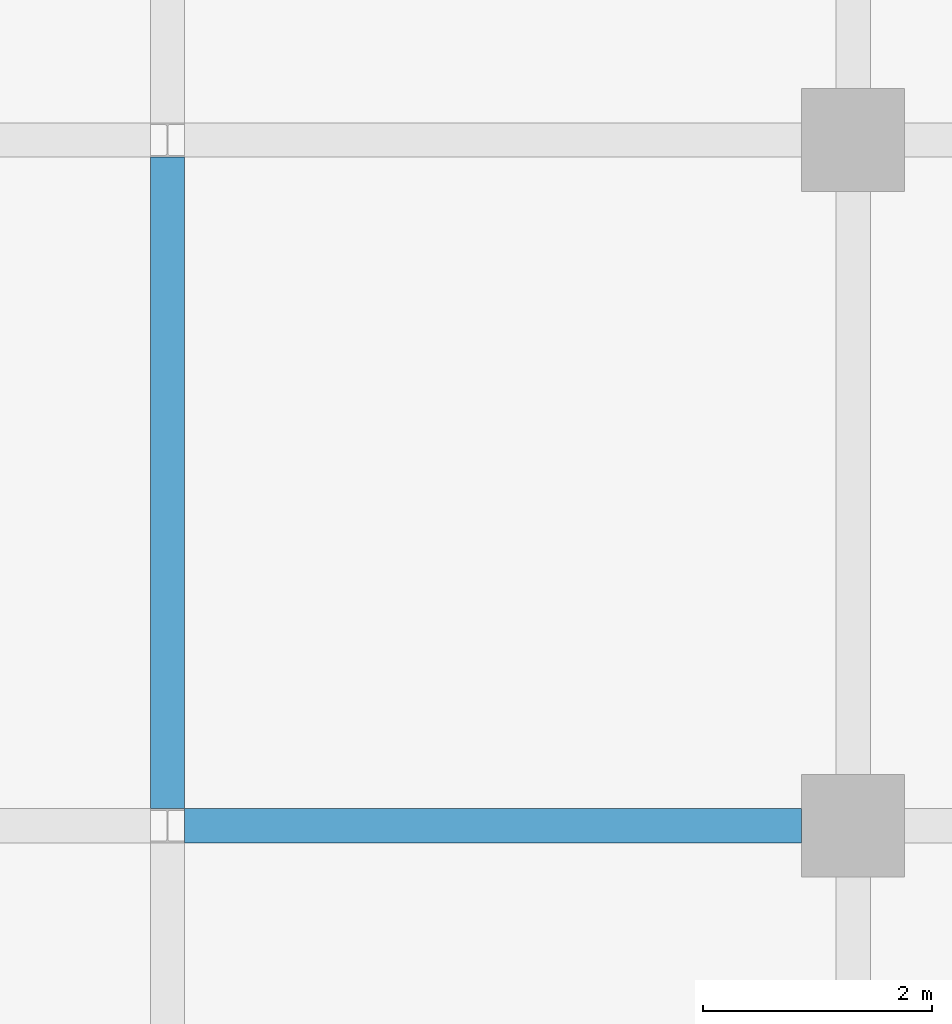
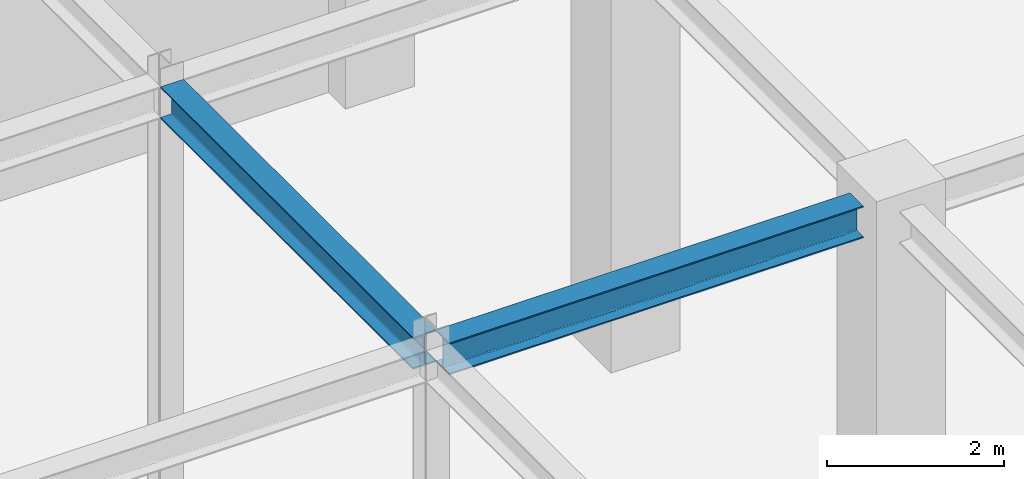
# One storey, part 49 of 108: 2 beams.
"""IFC4 building model written with IfcOpenShell, lengths in metres."""

from ifc_helpers import new_model, si_unit, direction, frame, origin, origin_2d, place, context, subcontext, project, spatial, i_section, extrude, material, material_profile, profile_set, type_object, element, save


model = new_model("IFC4")

# Units and contexts
model_context = context("Model", 3, precision=1e-05, world=origin(), true_north=direction((0.0, 1.0)))
body_context = subcontext(model_context, "Body", "Model", "MODEL_VIEW")
ifc_project = project(units=[si_unit("LENGTHUNIT", "METRE"), si_unit("AREAUNIT", "SQUARE_METRE"), si_unit("VOLUMEUNIT", "CUBIC_METRE"), si_unit("PLANEANGLEUNIT", "RADIAN"), si_unit("MASSUNIT", "GRAM", prefix="KILO")], contexts=[model_context])

# Site, building, storey
site_placement = place(None, origin())
site = spatial("IfcSite", under=ifc_project, at=site_placement, CompositionType="ELEMENT")
building_placement = place(site_placement, origin())
building = spatial("IfcBuilding", under=site, at=building_placement, Name="Zlatovratsky Civic Hall", CompositionType="ELEMENT")
storey_placement = place(building_placement, frame((0.0, 0.0, 6.0)))
storey = spatial("IfcBuildingStorey", under=building, at=storey_placement, Name="L02", CompositionType="ELEMENT", Elevation=6.0)

# Beams
ifc_material = material(Name="Steel S355", Category="steel")
ifc_material_profile = material_profile(ifc_material, i_section(OverallWidth=0.300048828125, OverallDepth=0.43994140625, WebThickness=0.010986328125, FlangeThickness=0.01806640625, FilletRadius=0.02197265625, at=origin_2d()), Name="45Sh1")
ifc_profile_set = profile_set([ifc_material_profile], Name="Steel S355")
beam_type = type_object("IfcBeamType", Name="Beam_TowerLow_45Sh1", PredefinedType="BEAM", material=ifc_profile_set)
beam_1_placement = place(storey_placement, frame((60.14990234375, 42.0, 5.5400390625), z_axis=(1.0, 0.0, 0.0), x_axis=(0.0, 1.0, 0.0)))
element("IfcBeam", 1, at=beam_1_placement, inside=storey, type_object=beam_type, Name="BM-1821", PredefinedType="BEAM", context=body_context, shape_type="SweptSolid", body=[
    extrude(i_section(OverallWidth=0.300048828125, OverallDepth=0.43994140625, WebThickness=0.010986328125, FlangeThickness=0.01806640625, FilletRadius=0.02197265625, at=origin_2d()), origin(), (0.0, 0.0, 1.0), 5.400146484375),
])
beam_2_placement = place(storey_placement, frame((60.0, 42.14990234375, 5.5400390625), z_axis=(0.0, 1.0, 0.0), x_axis=(-1.0, 0.0, 0.0)))
element("IfcBeam", 2, at=beam_2_placement, inside=storey, type_object=beam_type, Name="BM-2168", PredefinedType="BEAM", context=body_context, shape_type="SweptSolid", body=[
    extrude(i_section(OverallWidth=0.300048828125, OverallDepth=0.43994140625, WebThickness=0.010986328125, FlangeThickness=0.01806640625, FilletRadius=0.02197265625, at=origin_2d()), origin(), (0.0, 0.0, 1.0), 5.7001953125),
])

save(model, "model.ifc")
